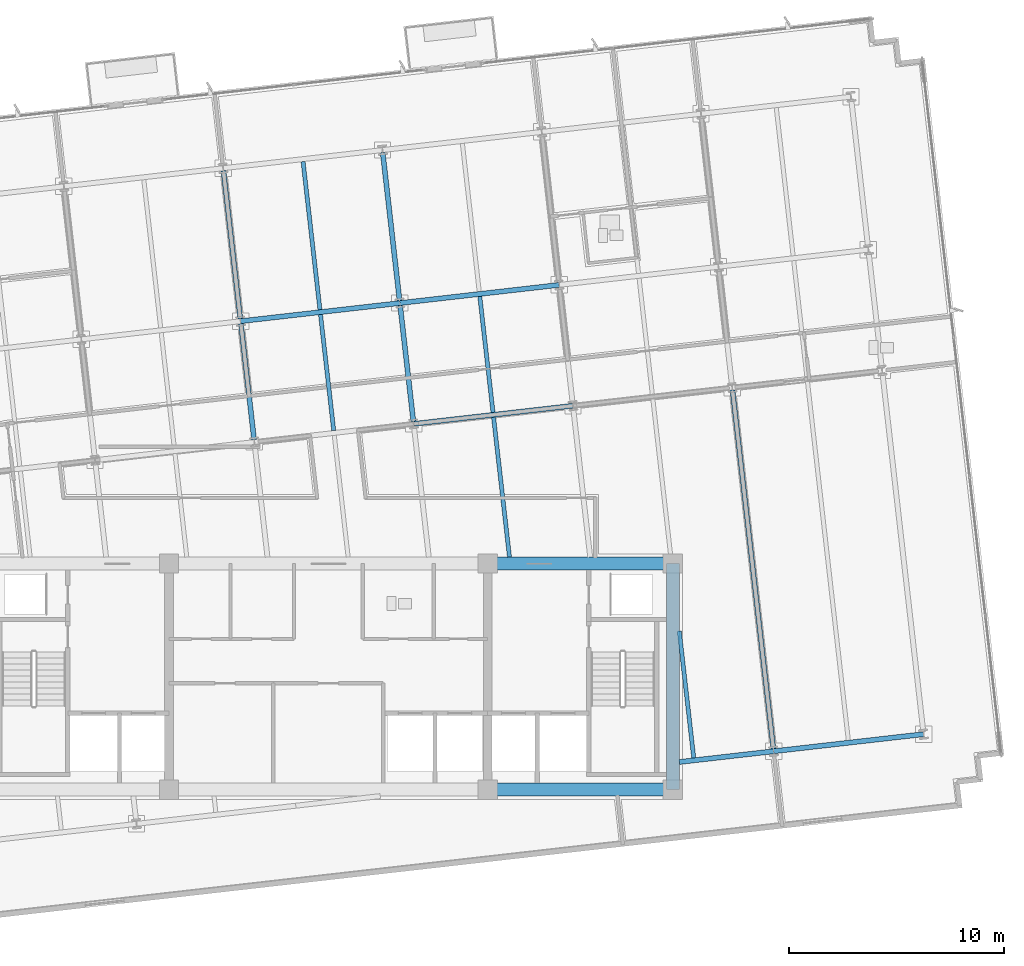
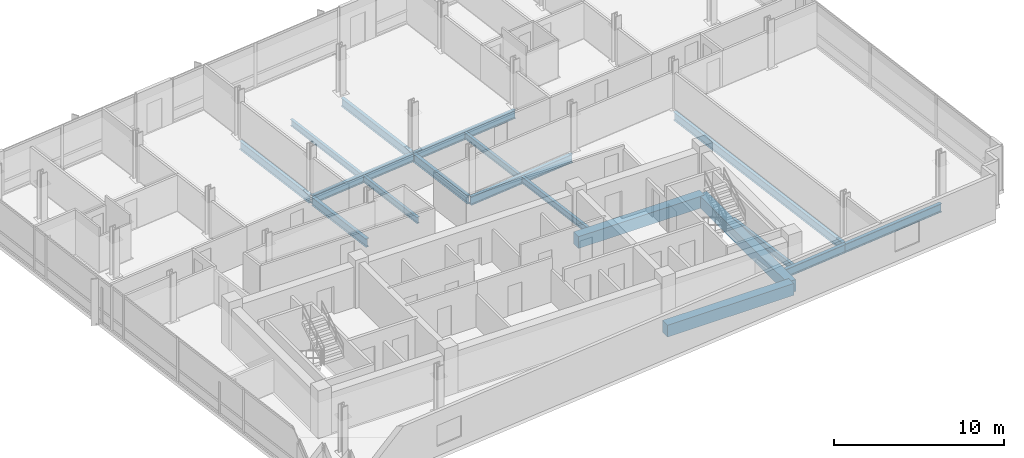
# One storey, part 3 of 15: 18 beams.
"""IFC4 building model written with IfcOpenShell, lengths in metres."""

import ifcopenshell
import ifcopenshell.guid

model = None  # the IFC model being written
_history = None  # IfcOwnerHistory: only IFC2X3 demands one
_inside = {}  # id of a spatial element -> (the spatial element, [elements in it])
_under = {}  # id of a project, library or spatial element -> (it, [spatial elements below it])
_declared = {}  # id of a project -> (the project, [libraries it declares])
_typed = {}  # id of a type object -> (the type object, [elements of that type])
_made_of = {}  # id of a material, layer set ... -> (it, [elements and type objects made of it])


def new_model(schema):
    """Start an empty IFC model of exactly this schema.

    Asked for "IFC4X3", IfcOpenShell would pick the latest addendum, in which some entities
    have other attributes; the version numbers below select the first issue.
    IFC2X3 requires an IfcOwnerHistory on every rooted entity: one is made here for all.
    """
    global model, _history
    if schema == "IFC4X3":
        model = ifcopenshell.file(schema_version=(4, 3, 0, 0))
    else:
        model = ifcopenshell.file(schema=schema)
    _inside.clear()
    _under.clear()
    _declared.clear()
    _typed.clear()
    _made_of.clear()
    _history = None
    if model.schema == "IFC2X3":
        org = make("IfcOrganization", Name="unknown")
        user = make(
            "IfcPersonAndOrganization",
            ThePerson=make("IfcPerson", FamilyName="unknown"),
            TheOrganization=org,
        )
        app = make(
            "IfcApplication",
            ApplicationDeveloper=org,
            Version="unknown",
            ApplicationFullName="unknown",
            ApplicationIdentifier="unknown",
        )
        _history = make(
            "IfcOwnerHistory",
            OwningUser=user,
            OwningApplication=app,
            ChangeAction="ADDED",
            CreationDate=0,
        )
    return model


def make(cls, **values):
    """One entity of the class cls with the attributes given. An attribute that is None is left unset."""
    return model.create_entity(
        cls, **{name: value for name, value in values.items() if value is not None}
    )


def rooted(cls, **values):
    """An entity with a GlobalId (a new one), such as an element, a storey or a relation."""
    return make(cls, GlobalId=ifcopenshell.guid.new(), OwnerHistory=_history, **values)


def si_unit(unit_type, name, prefix=None):
    """IfcSIUnit, for example si_unit("LENGTHUNIT", "METRE", prefix="MILLI")."""
    return make("IfcSIUnit", UnitType=unit_type, Prefix=prefix, Name=name)


def assignment(units):
    """IfcUnitAssignment: the units of a project."""
    return None if units is None else make("IfcUnitAssignment", Units=units)


def point(xyz):
    """IfcCartesianPoint."""
    return None if xyz is None else make("IfcCartesianPoint", Coordinates=xyz)


def direction(xyz):
    """IfcDirection."""
    return None if xyz is None else make("IfcDirection", DirectionRatios=xyz)


def frame(location, z_axis=None, x_axis=None):
    """IfcAxis2Placement3D, a coordinate frame: its origin and axes. An axis left out is left unset."""
    return make(
        "IfcAxis2Placement3D",
        Location=point(location),
        Axis=direction(z_axis),
        RefDirection=direction(x_axis),
    )


def frame_2d(location, x_axis=None):
    """IfcAxis2Placement2D, a coordinate frame in the plane: its origin and x axis."""
    return make(
        "IfcAxis2Placement2D", Location=point(location), RefDirection=direction(x_axis)
    )


def origin():
    """The frame at (0, 0, 0) with its axes left unset."""
    return frame((0.0, 0.0, 0.0))


def origin_2d():
    """The frame at (0, 0) in the plane with its x axis left unset."""
    return frame_2d((0.0, 0.0))


def place(relative_to, where):
    """IfcLocalPlacement: puts the frame where relative to a parent placement (None: the world)."""
    return make(
        "IfcLocalPlacement", PlacementRelTo=relative_to, RelativePlacement=where
    )


def context(
    kind, dimensions, precision=None, world=None, true_north=None, identifier=None
):
    """IfcGeometricRepresentationContext, for example the 3D "Model" context."""
    return make(
        "IfcGeometricRepresentationContext",
        ContextIdentifier=identifier,
        ContextType=kind,
        CoordinateSpaceDimension=dimensions,
        Precision=precision,
        WorldCoordinateSystem=world,
        TrueNorth=true_north,
    )


def subcontext(parent, identifier, kind, view, scale=None):
    """IfcGeometricRepresentationSubContext, for example "Body" below "Model"."""
    return make(
        "IfcGeometricRepresentationSubContext",
        ContextIdentifier=identifier,
        ContextType=kind,
        ParentContext=parent,
        TargetScale=scale,
        TargetView=view,
    )


def project(units=None, contexts=None):
    """IfcProject with its units and contexts."""
    return rooted(
        "IfcProject",
        Name="project",
        RepresentationContexts=contexts,
        UnitsInContext=assignment(units),
    )


def spatial(cls, under=None, at=None, **own):
    """A site, building, storey or space (cls), placed at a placement, below another one or the project."""
    s = rooted(cls, ObjectPlacement=at, **own)
    if under is not None:
        _under.setdefault(under.id(), (under, []))[1].append(s)
    return s


def profile(cls, at=None, kind="AREA", **sizes):
    """A parametric profile (cls). Its sizes go by their IFC names, for example OverallWidth=200.0."""
    return make(cls, ProfileType=kind, Position=at, **sizes)


def rectangle(**sizes):
    """IfcRectangleProfileDef."""
    return profile("IfcRectangleProfileDef", **sizes)


def i_section(**sizes):
    """IfcIShapeProfileDef."""
    return profile("IfcIShapeProfileDef", **sizes)


def extrude(swept, where, along, depth):
    """IfcExtrudedAreaSolid: the profile swept, set in the frame where, extruded along a direction by depth."""
    return make(
        "IfcExtrudedAreaSolid",
        SweptArea=swept,
        Position=where,
        ExtrudedDirection=direction(along),
        Depth=depth,
    )


def shape(context_of_items, identifier, shape_type, items):
    """IfcShapeRepresentation: the items that make up one representation, for example the "Body"."""
    return make(
        "IfcShapeRepresentation",
        ContextOfItems=context_of_items,
        RepresentationIdentifier=identifier,
        RepresentationType=shape_type,
        Items=items,
    )


def material(Name=None, Category=None):
    """IfcMaterial."""
    return make("IfcMaterial", Name=Name, Category=Category)


def material_profile(
    of_material, cross_section, Name=None, Category=None, Priority=None
):
    """IfcMaterialProfile: a cross section and its material."""
    return make(
        "IfcMaterialProfile",
        Name=Name,
        Material=of_material,
        Profile=cross_section,
        Priority=Priority,
        Category=Category,
    )


def profile_set(profiles, Name=None, composite=None):
    """IfcMaterialProfileSet."""
    return make(
        "IfcMaterialProfileSet",
        Name=Name,
        MaterialProfiles=profiles,
        CompositeProfile=composite,
    )


def made_of(thing, what):
    """Note that an element or type object is made of a material, layer set ...; save() writes the relation."""
    if what is not None:
        _made_of.setdefault(what.id(), (what, []))[1].append(thing)
    return thing


def type_object(cls, material=None, **own):
    """A type object (cls), such as IfcWallType, which elements share."""
    return made_of(rooted(cls, **own), material)


def element(
    cls,
    number,
    at=None,
    inside=None,
    cuts=None,
    type_object=None,
    material=None,
    context=None,
    identifier="Body",
    shape_type=None,
    held_by="IfcProductDefinitionShape",
    body=None,
    shapes=None,
    **own,
):
    """One element of the class cls, such as IfcWall. Its Tag is "e" and its number.

    at: its placement. inside: the storey or other place that contains it. cuts: it is an
    opening in that element (IfcRelVoidsElement). A single representation is given by context,
    identifier, shape_type and body (its items); several are given by shapes. held_by: the class
    of the entity that holds the representations. save() writes the other relations.
    """
    e = rooted(cls, Tag="e%d" % number, ObjectPlacement=at, **own)
    if body is not None:
        shapes = [shape(context, identifier, shape_type, body)]
    if shapes is not None:
        e.Representation = make(held_by, Representations=shapes)
    if inside is not None:
        _inside.setdefault(inside.id(), (inside, []))[1].append(e)
    if cuts is not None:
        rooted(
            "IfcRelVoidsElement", RelatingBuildingElement=cuts, RelatedOpeningElement=e
        )
    if type_object is not None:
        _typed.setdefault(type_object.id(), (type_object, []))[1].append(e)
    return made_of(e, material)


def aggregate(whole, parts):
    """IfcRelAggregates: a whole, such as a stair, and the parts it consists of."""
    return rooted("IfcRelAggregates", RelatingObject=whole, RelatedObjects=parts)


def save(model, path):
    """Write the relations noted so far, then the file.

    IfcRelAggregates (storeys below a building ...), IfcRelContainedInSpatialStructure (elements
    in a storey), IfcRelDefinesByType, IfcRelAssociatesMaterial and IfcRelDeclares: one each for
    every whole, place, type object, material and project.
    """
    for whole, parts in _under.values():
        aggregate(whole, parts)
    for where, things in _inside.values():
        rooted(
            "IfcRelContainedInSpatialStructure",
            RelatedElements=things,
            RelatingStructure=where,
        )
    for kind, things in _typed.values():
        rooted("IfcRelDefinesByType", RelatedObjects=things, RelatingType=kind)
    for what, things in _made_of.values():
        rooted("IfcRelAssociatesMaterial", RelatedObjects=things, RelatingMaterial=what)
    for by, libraries in _declared.values():
        rooted("IfcRelDeclares", RelatingContext=by, RelatedDefinitions=libraries)
    model.write(path)


model = new_model("IFC4")

# Units and contexts
model_context = context("Model", 3, precision=1e-05, world=origin(), true_north=direction((0.0, 1.0)))
body_context = subcontext(model_context, "Body", "Model", "MODEL_VIEW")
ifc_project = project(units=[si_unit("LENGTHUNIT", "METRE"), si_unit("AREAUNIT", "SQUARE_METRE"), si_unit("VOLUMEUNIT", "CUBIC_METRE"), si_unit("PLANEANGLEUNIT", "RADIAN"), si_unit("MASSUNIT", "GRAM", prefix="KILO")], contexts=[model_context])

# Site, building, storey
site_placement = place(None, origin())
site = spatial("IfcSite", under=ifc_project, at=site_placement, CompositionType="ELEMENT")
building_placement = place(site_placement, origin())
building = spatial("IfcBuilding", under=site, at=building_placement, Name="Solmavex Isthmus Hotel", CompositionType="ELEMENT")
storey_placement = place(building_placement, frame((0.0, 0.0, 226.199951171875)))
storey = spatial("IfcBuildingStorey", under=building, at=storey_placement, Name="L61", CompositionType="ELEMENT", Elevation=226.199951171875)

# Beams
ifc_material_1 = material(Name="Steel ASTM A992 Grade 50", Category="steel")
ifc_material_profile_1 = material_profile(ifc_material_1, i_section(OverallWidth=0.1904296875, OverallDepth=0.456787109375, WebThickness=0.009033203125, FlangeThickness=0.014404296875, FilletRadius=0.0126953125, at=origin_2d()), Name="W18X50")
ifc_profile_set_1 = profile_set([ifc_material_profile_1], Name="Steel ASTM A992 Grade 50")
beam_type_1 = type_object("IfcBeamType", Name="BM-BJ-W18X50", PredefinedType="JOIST", material=ifc_profile_set_1)
beam_1_placement = place(storey_placement, frame((0.250244140625, 3.67822265625, -0.48828125), z_axis=(-0.113194691868, 0.993572826587, 0.0), x_axis=(-0.993572826587, -0.113194691868, 0.0)))
element("IfcBeam", 1, at=beam_1_placement, inside=storey, type_object=beam_type_1, Name="Secondary Floor Joist L61-J10", PredefinedType="JOIST", context=body_context, shape_type="SweptSolid", body=[
    extrude(i_section(OverallWidth=0.1904296875, OverallDepth=0.456787109375, WebThickness=0.009033203125, FlangeThickness=0.014404296875, FilletRadius=0.0126953125, at=origin_2d()), origin(), (0.0, 0.0, 1.0), 5.420166015625),
])
beam_2_placement = place(storey_placement, frame((-0.38916015625, 9.289794921875, -0.48828125), z_axis=(-0.113202453846, 0.993571942258, 0.0), x_axis=(-0.993571942258, -0.113202453846, 0.0)))
element("IfcBeam", 2, at=beam_2_placement, inside=storey, type_object=beam_type_1, Name="Secondary Floor Joist L61-J11", PredefinedType="JOIST", context=body_context, shape_type="SweptSolid", body=[
    extrude(i_section(OverallWidth=0.1904296875, OverallDepth=0.456787109375, WebThickness=0.009033203125, FlangeThickness=0.014404296875, FilletRadius=0.0126953125, at=origin_2d()), origin(), (0.0, 0.0, 1.0), 6.9228515625),
])
beam_3_placement = place(storey_placement, frame((8.414306640625, -2.199951171875, -0.48828125), z_axis=(-0.113206345873, 0.993571498813, 0.0), x_axis=(-0.993571498813, -0.113206345873, 0.0)))
element("IfcBeam", 3, at=beam_3_placement, inside=storey, type_object=beam_type_1, Name="Secondary Floor Joist L61-J12", PredefinedType="JOIST", context=body_context, shape_type="SweptSolid", body=[
    extrude(i_section(OverallWidth=0.1904296875, OverallDepth=0.456787109375, WebThickness=0.009033203125, FlangeThickness=0.014404296875, FilletRadius=0.0126953125, at=origin_2d()), origin(), (0.0, 0.0, 1.0), 6.53662109375),
])
beam_4_placement = place(storey_placement, frame((7.6484375, 4.521240234375, -0.48828125), z_axis=(-0.113194691868, 0.993572826587, 0.0), x_axis=(-0.993572826587, -0.113194691868, 0.0)))
element("IfcBeam", 4, at=beam_4_placement, inside=storey, type_object=beam_type_1, Name="Secondary Floor Joist L61-J13", PredefinedType="JOIST", context=body_context, shape_type="SweptSolid", body=[
    extrude(i_section(OverallWidth=0.1904296875, OverallDepth=0.456787109375, WebThickness=0.009033203125, FlangeThickness=0.014404296875, FilletRadius=0.0126953125, at=origin_2d()), origin(), (0.0, 0.0, 1.0), 5.420166015625),
])
beam_5_placement = place(storey_placement, frame((16.970947265625, -11.525390625, -0.48828125), z_axis=(-0.113202687678, 0.993571915617, 0.0), x_axis=(-0.993571915617, -0.113202687678, 0.0)))
element("IfcBeam", 5, at=beam_5_placement, inside=storey, type_object=beam_type_1, Name="Secondary Floor Joist L61-J15", PredefinedType="JOIST", context=body_context, shape_type="SweptSolid", body=[
    extrude(i_section(OverallWidth=0.1904296875, OverallDepth=0.456787109375, WebThickness=0.009033203125, FlangeThickness=0.014404296875, FilletRadius=0.0126953125, at=origin_2d()), origin(), (0.0, 0.0, 1.0), 5.926513671875),
])
ifc_material_profile_2 = material_profile(ifc_material_1, i_section(OverallWidth=0.227783203125, OverallDepth=0.602783203125, WebThickness=0.010498046875, FlangeThickness=0.014892578125, FilletRadius=0.01513671875, at=origin_2d()), Name="W24X68")
ifc_profile_set_2 = profile_set([ifc_material_profile_2], Name="Steel ASTM A992 Grade 50")
beam_type_2 = type_object("IfcBeamType", Name="BM-BM-W24X68", PredefinedType="BEAM", material=ifc_profile_set_2)
for number, where, z_axis, x_axis, name in (
    (6, (3.962158203125, 3.986572265625, -0.561279296875), (0.993574034044, 0.113184092846, 0.0), (-0.113184092846, 0.993574034044, 0.0), "Floor Girder L61-UG09"),
    (7, (-4.0751953125, 8.75537109375, -0.561279296875), (0.993574034044, 0.113184092846, 0.0), (-0.113184092846, 0.993574034044, 0.0), "Floor Girder L61-UG14"),
):
    element("IfcBeam", number, at=place(storey_placement, frame(where, z_axis=z_axis, x_axis=x_axis)), inside=storey, type_object=beam_type_2, Name=name, PredefinedType="BEAM", context=body_context, shape_type="SweptSolid", body=[
        extrude(i_section(OverallWidth=0.227783203125, OverallDepth=0.602783203125, WebThickness=0.010498046875, FlangeThickness=0.014892578125, FilletRadius=0.01513671875, at=origin_2d()), origin(), (0.0, 0.0, 1.0), 7.446044921875),
    ])
beam_6_placement = place(storey_placement, frame((3.322998046875, 9.59814453125, -0.561279296875), z_axis=(0.993569926006, 0.113220148984, 0.0), x_axis=(-0.113220148984, 0.993569926006, 0.0)))
element("IfcBeam", 8, at=beam_6_placement, inside=storey, type_object=beam_type_2, Name="Floor Girder L61-UG15", PredefinedType="BEAM", context=body_context, shape_type="SweptSolid", body=[
    extrude(i_section(OverallWidth=0.227783203125, OverallDepth=0.602783203125, WebThickness=0.010498046875, FlangeThickness=0.014892578125, FilletRadius=0.01513671875, at=origin_2d()), origin(), (0.0, 0.0, 1.0), 7.44580078125),
])
beam_7_placement = place(storey_placement, frame((-3.44873046875, 3.2568359375, -0.561279296875), z_axis=(-0.113194691868, 0.993572826587, 0.0), x_axis=(-0.993572826587, -0.113194691868, 0.0)))
element("IfcBeam", 9, at=beam_7_placement, inside=storey, type_object=beam_type_2, Name="Floor Beam L61-VG32", PredefinedType="BEAM", context=body_context, shape_type="SweptSolid", body=[
    extrude(i_section(OverallWidth=0.227783203125, OverallDepth=0.602783203125, WebThickness=0.010498046875, FlangeThickness=0.014892578125, FilletRadius=0.01513671875, at=origin_2d()), origin(), (0.0, 0.0, 1.0), 5.420166015625),
])
beam_8_placement = place(storey_placement, frame((-4.088134765625, 8.868408203125, -0.561279296875), z_axis=(-0.113202453846, 0.993571942258, 0.0), x_axis=(-0.993571942258, -0.113202453846, 0.0)))
element("IfcBeam", 10, at=beam_8_placement, inside=storey, type_object=beam_type_2, Name="Floor Beam L61-VG33", PredefinedType="BEAM", context=body_context, shape_type="SweptSolid", body=[
    extrude(i_section(OverallWidth=0.227783203125, OverallDepth=0.602783203125, WebThickness=0.010498046875, FlangeThickness=0.014892578125, FilletRadius=0.01513671875, at=origin_2d()), origin(), (0.0, 0.0, 1.0), 6.9228515625),
])
beam_9_placement = place(storey_placement, frame((3.949462890625, 4.099609375, -0.561279296875), z_axis=(-0.113234090386, 0.993568337244, 0.0), x_axis=(-0.993568337244, -0.113234090386, 0.0)))
element("IfcBeam", 11, at=beam_9_placement, inside=storey, type_object=beam_type_2, Name="Floor Beam L61-VG35", PredefinedType="BEAM", context=body_context, shape_type="SweptSolid", body=[
    extrude(i_section(OverallWidth=0.227783203125, OverallDepth=0.602783203125, WebThickness=0.010498046875, FlangeThickness=0.014892578125, FilletRadius=0.01513671875, at=origin_2d()), origin(), (0.0, 0.0, 1.0), 5.42041015625),
])
beam_10_placement = place(storey_placement, frame((3.31005859375, 9.71142578125, -0.561279296875), z_axis=(-0.113202453846, 0.993571942258, 0.0), x_axis=(-0.993571942258, -0.113202453846, 0.0)))
element("IfcBeam", 12, at=beam_10_placement, inside=storey, type_object=beam_type_2, Name="Floor Beam L61-VG36", PredefinedType="BEAM", context=body_context, shape_type="SweptSolid", body=[
    extrude(i_section(OverallWidth=0.227783203125, OverallDepth=0.602783203125, WebThickness=0.010498046875, FlangeThickness=0.014892578125, FilletRadius=0.01513671875, at=origin_2d()), origin(), (0.0, 0.0, 1.0), 6.9228515625),
])
beam_11_placement = place(storey_placement, frame((20.669921875, -11.10400390625, -0.561279296875), z_axis=(-0.113198426291, 0.993572401129, 0.0), x_axis=(-0.993572401129, -0.113198426291, 0.0)))
element("IfcBeam", 13, at=beam_11_placement, inside=storey, type_object=beam_type_2, Name="Floor Beam L61-VG40", PredefinedType="BEAM", context=body_context, shape_type="SweptSolid", body=[
    extrude(i_section(OverallWidth=0.227783203125, OverallDepth=0.602783203125, WebThickness=0.010498046875, FlangeThickness=0.014892578125, FilletRadius=0.01513671875, at=origin_2d()), origin(), (0.0, 0.0, 1.0), 16.77099609375),
])
ifc_material_2 = material(Name="Concrete C50/60", Category="concrete")
ifc_material_profile_3 = material_profile(ifc_material_2, rectangle(XDim=0.60009765625, YDim=0.85009765625, at=origin_2d()), Name="RC600X850")
ifc_profile_set_3 = profile_set([ifc_material_profile_3], Name="Concrete C50/60")
beam_type_3 = type_object("IfcBeamType", Name="BM-CB-600X850", PredefinedType="BEAM", material=ifc_profile_set_3)
for number, where, z_axis, x_axis, name in (
    (14, (7.39990234375, -13.0, -0.68505859375), (1.0, 0.0, 0.0), (0.0, 1.0, 0.0), "Core Coupling Beam L61-CB3"),
    (15, (7.39990234375, -2.5, -0.68505859375), (1.0, 0.0, 0.0), (0.0, 1.0, 0.0), "Core Coupling Beam L61-CB6"),
):
    element("IfcBeam", number, at=place(storey_placement, frame(where, z_axis=z_axis, x_axis=x_axis)), inside=storey, type_object=beam_type_3, Name=name, PredefinedType="BEAM", context=body_context, shape_type="SweptSolid", body=[
        extrude(rectangle(XDim=0.60009765625, YDim=0.85009765625, at=origin_2d()), origin(), (0.0, 0.0, 1.0), 8.60009765625),
    ])
beam_12_placement = place(storey_placement, frame((16.0, -13.0, -0.68505859375), z_axis=(0.0, 1.0, 0.0), x_axis=(-1.0, 0.0, 0.0)))
element("IfcBeam", 16, at=beam_12_placement, inside=storey, type_object=beam_type_3, Name="Core Coupling Beam L61-CB8", PredefinedType="BEAM", context=body_context, shape_type="SweptSolid", body=[
    extrude(rectangle(XDim=0.60009765625, YDim=0.85009765625, at=origin_2d()), origin(), (0.0, 0.0, 1.0), 10.5),
])
ifc_material_profile_4 = material_profile(ifc_material_1, i_section(OverallWidth=0.230224609375, OverallDepth=0.617431640625, WebThickness=0.01318359375, FlangeThickness=0.022216796875, FilletRadius=0.01513671875, at=origin_2d()), Name="W24X94")
ifc_profile_set_4 = profile_set([ifc_material_profile_4], Name="Steel ASTM A992 Grade 50")
beam_type_4 = type_object("IfcBeamType", Name="BM-SP-W24X94", PredefinedType="SPANDREL", material=ifc_profile_set_4)
beam_13_placement = place(storey_placement, frame((16.300048828125, -11.7177734375, -0.568603515625), z_axis=(0.993574880398, 0.113176662976, 0.0), x_axis=(-0.113176662976, 0.993574880398, 0.0)))
element("IfcBeam", 17, at=beam_13_placement, inside=storey, type_object=beam_type_4, Name="Floor Girder L61-UG04", PredefinedType="SPANDREL", context=body_context, shape_type="SweptSolid", body=[
    extrude(i_section(OverallWidth=0.230224609375, OverallDepth=0.617431640625, WebThickness=0.01318359375, FlangeThickness=0.022216796875, FilletRadius=0.01513671875, at=origin_2d()), origin(), (0.0, 0.0, 1.0), 4.411376953125),
])
beam_14_placement = place(storey_placement, frame((20.68310546875, -11.218505859375, -0.568603515625), z_axis=(0.993569675103, 0.113222350774, 0.0), x_axis=(-0.113222350774, 0.993569675103, 0.0)))
element("IfcBeam", 18, at=beam_14_placement, inside=storey, type_object=beam_type_4, Name="Floor Girder L61-UG05", PredefinedType="SPANDREL", context=body_context, shape_type="SweptSolid", body=[
    extrude(i_section(OverallWidth=0.230224609375, OverallDepth=0.617431640625, WebThickness=0.01318359375, FlangeThickness=0.022216796875, FilletRadius=0.01513671875, at=origin_2d()), origin(), (0.0, 0.0, 1.0), 7.008056640625),
])

save(model, "model.ifc")
